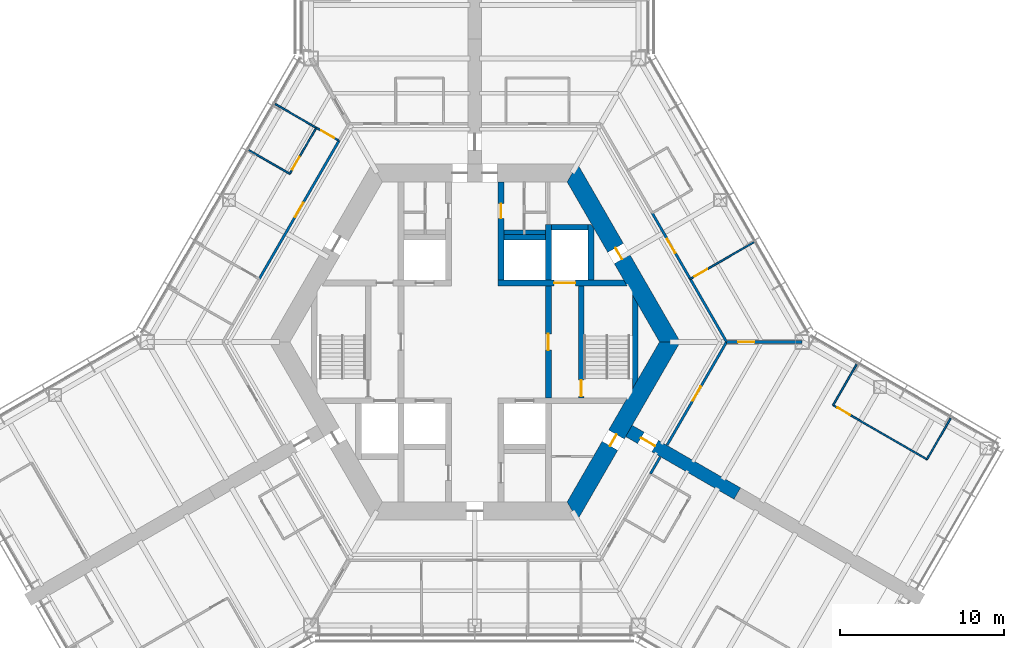
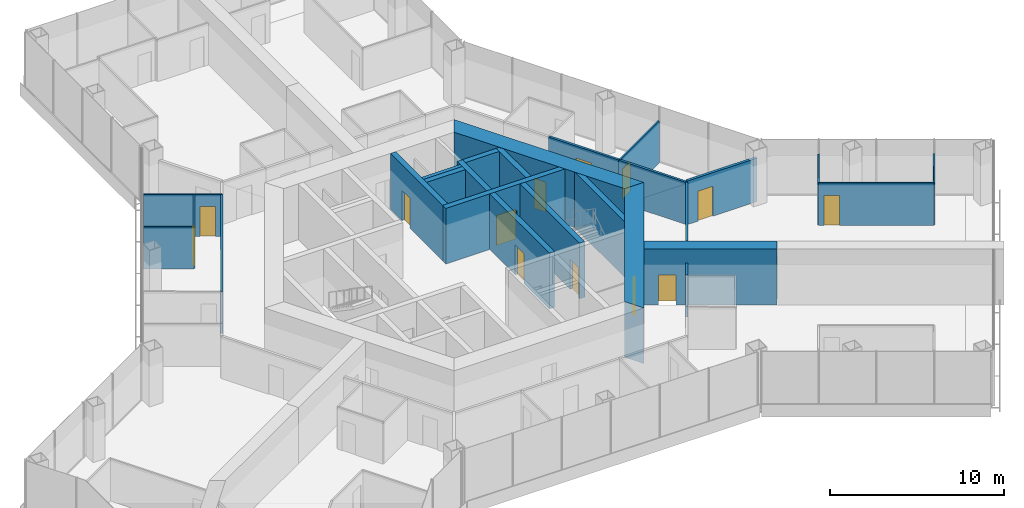
# One storey, part 14 of 19: 27 walls, 15 doors, 15 openings.
"""IFC4 building model written with IfcOpenShell, lengths in metres."""

from ifc_helpers import new_model, si_unit, direction, frame, frame_2d, origin, place, context, subcontext, project, spatial, polyline, rectangle, outline, extrude, material, layer, layer_set, type_object, element, fill, save


model = new_model("IFC4")

# Units and contexts
model_context = context("Model", 3, precision=1e-05, world=origin(), true_north=direction((0.0, 1.0)))
body_context = subcontext(model_context, "Body", "Model", "MODEL_VIEW")
ifc_project = project(units=[si_unit("LENGTHUNIT", "METRE"), si_unit("AREAUNIT", "SQUARE_METRE"), si_unit("VOLUMEUNIT", "CUBIC_METRE"), si_unit("PLANEANGLEUNIT", "RADIAN"), si_unit("MASSUNIT", "GRAM", prefix="KILO")], contexts=[model_context])

# Site, building, storey
site_placement = place(None, origin())
site = spatial("IfcSite", under=ifc_project, at=site_placement, CompositionType="ELEMENT")
building_placement = place(site_placement, origin())
building = spatial("IfcBuilding", under=site, at=building_placement, Name="Kasaneha Research Tower", CompositionType="ELEMENT")
storey_placement = place(building_placement, frame((0.0, 0.0, 84.60009765625)))
storey = spatial("IfcBuildingStorey", under=building, at=storey_placement, Name="L21", CompositionType="ELEMENT", Elevation=84.60009765625)

# Wall, opening, door
ifc_material_1 = material(Name="Concrete Fc80", Category="concrete")
ifc_layer_1 = layer(ifc_material_1, 0.35009765625)
ifc_layer_set_1 = layer_set([ifc_layer_1], Name="Core internal wall 350 Fc80")
wall_type_1 = type_object("IfcWallType", Name="Core internal wall 350 Fc80", PredefinedType="SHEAR", material=ifc_layer_set_1)
wall_1_placement = place(storey_placement, frame((1.425048828125, 3.60009765625, 0.0), z_axis=(0.0, 0.0, 1.0), x_axis=(1.0, 0.0, 0.0)))
wall_1 = element("IfcWall", 1, at=wall_1_placement, inside=storey, type_object=wall_type_1, Name="Core wall W1E L21", PredefinedType="SHEAR", context=body_context, shape_type="SweptSolid", body=[
    extrude(outline(polyline([(0.0, -0.175048828125), (3.425048828125, -0.175048828125), (4.72509765625, -0.175048828125), (7.884765625, -0.175048828125), (7.6826171875, 0.175048828125), (4.72509765625, 0.175048828125), (3.425048828125, 0.175048828125), (0.0, 0.175048828125), (0.0, -0.175048828125)])), origin(), (0.0, 0.0, 1.0), 3.89990234375),
])
opening_1_placement = place(wall_1_placement, frame((3.425048828125, 0.0, 0.0)))
opening_1 = element("IfcOpeningElement", 2, at=opening_1_placement, cuts=wall_1, Name="Opening LD-FL1-L21", PredefinedType="OPENING", context=body_context, shape_type="SweptSolid", body=[
    extrude(rectangle(XDim=1.300048828125, YDim=2.10009765625, at=frame_2d((0.64990234375, 1.050048828125))), frame((0.0, 0.18505859375, 0.0), z_axis=(0.0, -1.0, 0.0), x_axis=(1.0, 0.0, 0.0)), (0.0, 0.0, 1.0), 0.3701171875),
])
ifc_material_2 = material(Name="Steel", Category="steel")
door_type_1 = type_object("IfcDoorType", Name="Lift landing door 1300x2100", OperationType="DOUBLE_DOOR_SLIDING", PredefinedType="DOOR", material=ifc_material_2)
door_1_placement = place(opening_1_placement, origin())
door_1 = element("IfcDoor", 3, at=door_1_placement, inside=storey, type_object=door_type_1, Name="Landing door FL1 LD-FL1-L21", OperationType="DOUBLE_DOOR_SLIDING", OverallHeight=2.10009765625, OverallWidth=1.300048828125, PredefinedType="DOOR", context=body_context, shape_type="SweptSolid", body=[
    extrude(rectangle(XDim=1.300048828125, YDim=2.10009765625, at=frame_2d((0.64990234375, 1.050048828125))), frame((0.0, 0.02490234375, 0.0), z_axis=(0.0, -1.0, 0.0), x_axis=(1.0, 0.0, 0.0)), (0.0, 0.0, 1.0), 0.050048828125),
])
fill(opening_1, door_1)

wall_2_placement = place(storey_placement, frame((1.60009765625, 3.77490234375, 0.0), z_axis=(0.0, 0.0, 1.0), x_axis=(0.0, 1.0, 0.0)))
wall_2 = element("IfcWall", 4, at=wall_2_placement, inside=storey, type_object=wall_type_1, Name="Core wall CNE L21", PredefinedType="SHEAR", context=body_context, shape_type="SweptSolid", body=[
    extrude(rectangle(XDim=6.0, YDim=0.35009765625, at=frame_2d((3.0, 0.0))), origin(), (0.0, 0.0, 1.0), 3.89990234375),
])
opening_2_placement = place(wall_2_placement, frame((3.77490234375, 0.0, 0.0)))
opening_2 = element("IfcOpeningElement", 5, at=opening_2_placement, cuts=wall_2, Name="Opening L21-D14", PredefinedType="OPENING", context=body_context, shape_type="SweptSolid", body=[
    extrude(rectangle(XDim=0.89990234375, YDim=2.10009765625, at=frame_2d((0.449951171875, 1.050048828125))), frame((0.0, 0.18505859375, 0.0), z_axis=(0.0, -1.0, 0.0), x_axis=(1.0, 0.0, 0.0)), (0.0, 0.0, 1.0), 0.3701171875),
])
ifc_material_3 = material(Name="Steel", Category="steel")
door_type_2 = type_object("IfcDoorType", Name="Toilet door FD20 900x2100", OperationType="NOTDEFINED", PredefinedType="DOOR", material=ifc_material_3)
door_2_placement = place(opening_2_placement, origin())
door_2 = element("IfcDoor", 6, at=door_2_placement, inside=storey, type_object=door_type_2, Name="Women's WC door L21-D14", OperationType="SINGLE_SWING_LEFT", OverallHeight=2.10009765625, OverallWidth=0.89990234375, PredefinedType="DOOR", context=body_context, shape_type="SweptSolid", body=[
    extrude(rectangle(XDim=0.89990234375, YDim=2.10009765625, at=frame_2d((0.449951171875, 1.050048828125))), frame((0.0, 0.02490234375, 0.0), z_axis=(0.0, -1.0, 0.0), x_axis=(1.0, 0.0, 0.0)), (0.0, 0.0, 1.0), 0.050048828125),
])
fill(opening_2, door_2)

wall_3_placement = place(storey_placement, frame((4.5, -3.425048828125, 0.0), z_axis=(0.0, 0.0, 1.0), x_axis=(0.0, 1.0, 0.0)))
wall_3 = element("IfcWall", 7, at=wall_3_placement, inside=storey, type_object=wall_type_1, Name="Core wall LBE L21", PredefinedType="SHEAR", context=body_context, shape_type="SweptSolid", body=[
    extrude(rectangle(XDim=6.85009765625, YDim=0.35009765625, at=frame_2d((3.425048828125, 0.0))), origin(), (0.0, 0.0, 1.0), 3.89990234375),
])
opening_3_placement = place(wall_3_placement, frame((2.925048828125, 0.0, 0.0)))
opening_3 = element("IfcOpeningElement", 8, at=opening_3_placement, cuts=wall_3, Name="Opening L21-D08", PredefinedType="OPENING", context=body_context, shape_type="SweptSolid", body=[
    extrude(rectangle(XDim=1.0, YDim=2.10009765625, at=frame_2d((0.5, 1.050048828125))), frame((0.0, 0.18505859375, 0.0), z_axis=(0.0, -1.0, 0.0), x_axis=(1.0, 0.0, 0.0)), (0.0, 0.0, 1.0), 0.3701171875),
])
ifc_material_4 = material(Name="Steel", Category="steel")
door_type_3 = type_object("IfcDoorType", Name="Specified fire door FD60 1000x2100", OperationType="NOTDEFINED", PredefinedType="DOOR", material=ifc_material_4)
door_3_placement = place(opening_3_placement, origin())
door_3 = element("IfcDoor", 9, at=door_3_placement, inside=storey, type_object=door_type_3, Name="Lift lobby door east L21-D08", OperationType="SINGLE_SWING_LEFT", OverallHeight=2.10009765625, OverallWidth=1.0, PredefinedType="DOOR", context=body_context, shape_type="SweptSolid", body=[
    extrude(rectangle(XDim=1.0, YDim=2.10009765625, at=frame_2d((0.5, 1.050048828125))), frame((0.0, 0.02490234375, 0.0), z_axis=(0.0, -1.0, 0.0), x_axis=(1.0, 0.0, 0.0)), (0.0, 0.0, 1.0), 0.050048828125),
])
fill(opening_3, door_3)

wall_4_placement = place(storey_placement, frame((6.5, -3.425048828125, 0.0), z_axis=(0.0, 0.0, 1.0), x_axis=(0.0, 1.0, 0.0)))
wall_4 = element("IfcWall", 10, at=wall_4_placement, inside=storey, type_object=wall_type_1, Name="Core wall ANE L21", PredefinedType="SHEAR", context=body_context, shape_type="SweptSolid", body=[
    extrude(rectangle(XDim=6.85009765625, YDim=0.35009765625, at=frame_2d((3.425048828125, 0.0))), origin(), (0.0, 0.0, 1.0), 3.89990234375),
])
opening_4_placement = place(wall_4_placement, frame((0.10009765625, 0.0, 0.0)))
opening_4 = element("IfcOpeningElement", 11, at=opening_4_placement, cuts=wall_4, Name="Opening L21-D10", PredefinedType="OPENING", context=body_context, shape_type="SweptSolid", body=[
    extrude(rectangle(XDim=1.0, YDim=2.10009765625, at=frame_2d((0.5, 1.050048828125))), frame((0.0, 0.18505859375, 0.0), z_axis=(0.0, -1.0, 0.0), x_axis=(1.0, 0.0, 0.0)), (0.0, 0.0, 1.0), 0.3701171875),
])
door_4_placement = place(opening_4_placement, origin())
door_4 = element("IfcDoor", 12, at=door_4_placement, inside=storey, type_object=door_type_3, Name="Stair 1 door L21-D10", OperationType="SINGLE_SWING_LEFT", OverallHeight=2.10009765625, OverallWidth=1.0, PredefinedType="DOOR", context=body_context, shape_type="SweptSolid", body=[
    extrude(rectangle(XDim=1.0, YDim=2.10009765625, at=frame_2d((0.5, 1.050048828125))), frame((0.0, 0.02490234375, 0.0), z_axis=(0.0, -1.0, 0.0), x_axis=(1.0, 0.0, 0.0)), (0.0, 0.0, 1.0), 0.050048828125),
])
fill(opening_4, door_4)

# Walls
wall_5_placement = place(storey_placement, frame((4.5, 3.77490234375, 0.0), z_axis=(0.0, 0.0, 1.0), x_axis=(0.0, 1.0, 0.0)))
element("IfcWall", 13, at=wall_5_placement, inside=storey, type_object=wall_type_1, Name="Core wall FNE L21", PredefinedType="SHEAR", context=body_context, shape_type="SweptSolid", body=[
    extrude(rectangle(XDim=3.400146484375, YDim=0.35009765625, at=frame_2d((1.7001953125, 0.0))), origin(), (0.0, 0.0, 1.0), 3.89990234375),
])
wall_6_placement = place(storey_placement, frame((1.77490234375, 6.39990234375, 0.0), z_axis=(0.0, 0.0, 1.0), x_axis=(1.0, 0.0, 0.0)))
element("IfcWall", 14, at=wall_6_placement, inside=storey, type_object=wall_type_1, Name="Core wall N3N L21", PredefinedType="SHEAR", context=body_context, shape_type="SweptSolid", body=[
    extrude(rectangle(XDim=2.550048828125, YDim=0.35009765625, at=frame_2d((1.27490234375, 0.0))), origin(), (0.0, 0.0, 1.0), 3.89990234375),
])
wall_7_placement = place(storey_placement, frame((4.675048828125, 7.0, 0.0), z_axis=(0.0, 0.0, 1.0), x_axis=(1.0, 0.0, 0.0)))
element("IfcWall", 15, at=wall_7_placement, inside=storey, type_object=wall_type_1, Name="Core wall F1N L21", PredefinedType="SHEAR", context=body_context, shape_type="SweptSolid", body=[
    extrude(rectangle(XDim=2.25, YDim=0.35009765625, at=frame_2d((1.125, 0.0))), origin(), (0.0, 0.0, 1.0), 3.89990234375),
])
wall_8_placement = place(storey_placement, frame((7.10009765625, 3.77490234375, 0.0), z_axis=(0.0, 0.0, 1.0), x_axis=(0.0, 1.0, 0.0)))
element("IfcWall", 16, at=wall_8_placement, inside=storey, type_object=wall_type_1, Name="Core wall F1E L21", PredefinedType="SHEAR", context=body_context, shape_type="SweptSolid", body=[
    extrude(outline(polyline([(0.0, -0.175048828125), (3.174560546875, -0.175048828125), (3.400146484375, 0.0), (3.400146484375, 0.175048828125), (0.0, 0.175048828125), (0.0, -0.175048828125)])), origin(), (0.0, 0.0, 1.0), 3.89990234375),
])
wall_9_placement = place(storey_placement, frame((9.807861328125, -2.562255859375, 0.0), z_axis=(0.0, 0.0, 1.0), x_axis=(0.0, 1.0, 0.0)))
element("IfcWall", 17, at=wall_9_placement, inside=storey, type_object=wall_type_1, Name="Core wall STE L21", PredefinedType="SHEAR", context=body_context, shape_type="SweptSolid", body=[
    extrude(outline(polyline([(0.30322265625, -0.175048828125), (4.8212890625, -0.175048828125), (5.427734375, 0.175048828125), (-0.30322265625, 0.175048828125), (0.30322265625, -0.175048828125)])), origin(), (0.0, 0.0, 1.0), 3.89990234375),
])

# Wall, opening, door
ifc_material_5 = material(Name="Concrete Fc80", Category="concrete")
ifc_layer_2 = layer(ifc_material_5, 1.10009765625)
ifc_layer_set_2 = layer_set([ifc_layer_2], Name="Core wall 1100 Fc80")
wall_type_2 = type_object("IfcWallType", Name="Core wall 1100 Fc80", PredefinedType="SHEAR", material=ifc_layer_set_2)
wall_10_placement = place(storey_placement, frame((11.92236328125, 0.0, 0.0), z_axis=(0.0, 0.0, 1.0), x_axis=(-0.500004296715, 0.866022923061, 0.0)))
wall_10 = element("IfcWall", 18, at=wall_10_placement, inside=storey, type_object=wall_type_2, Name="Core wall 030 L21", PredefinedType="SHEAR", context=body_context, shape_type="SweptSolid", body=[
    extrude(outline(polyline([(-0.317626953125, -0.550048828125), (5.83544921875, -0.550048828125), (6.635498046875, -0.550048828125), (12.239990234375, -0.550048828125), (11.604736328125, 0.550048828125), (6.635498046875, 0.550048828125), (5.83544921875, 0.550048828125), (0.317626953125, 0.550048828125), (-0.317626953125, -0.550048828125)])), origin(), (0.0, 0.0, 1.0), 3.89990234375),
])
opening_5_placement = place(wall_10_placement, frame((5.83544921875, 0.0, 0.0)))
opening_5 = element("IfcOpeningElement", 19, at=opening_5_placement, cuts=wall_10, Name="Opening L21-D04", PredefinedType="OPENING", context=body_context, shape_type="SweptSolid", body=[
    extrude(rectangle(XDim=0.800048828125, YDim=2.10009765625, at=frame_2d((0.39990234375, 1.050048828125))), frame((0.0, 0.56005859375, 0.0), z_axis=(0.0, -1.0, 0.0), x_axis=(1.0, 0.0, 0.0)), (0.0, 0.0, 1.0), 1.1201171875),
])
ifc_material_6 = material(Name="Steel", Category="steel")
door_type_4 = type_object("IfcDoorType", Name="Riser access door FD60 800x2100", OperationType="NOTDEFINED", PredefinedType="DOOR", material=ifc_material_6)
door_5_placement = place(opening_5_placement, origin())
door_5 = element("IfcDoor", 20, at=door_5_placement, inside=storey, type_object=door_type_4, Name="Pipe riser door L21-D04", OperationType="SINGLE_SWING_RIGHT", OverallHeight=2.10009765625, OverallWidth=0.800048828125, PredefinedType="DOOR", context=body_context, shape_type="SweptSolid", body=[
    extrude(rectangle(XDim=0.800048828125, YDim=2.10009765625, at=frame_2d((0.39990234375, 1.050048828125))), frame((0.0, 0.02490234375, 0.0), z_axis=(0.0, -1.0, 0.0), x_axis=(1.0, 0.0, 0.0)), (0.0, 0.0, 1.0), 0.050048828125),
])
fill(opening_5, door_5)

wall_11_placement = place(storey_placement, frame((5.961181640625, -10.324951171875, 0.0), z_axis=(0.0, 0.0, 1.0), x_axis=(0.500004296715, 0.866022923061, 0.0)))
wall_11 = element("IfcWall", 21, at=wall_11_placement, inside=storey, type_object=wall_type_2, Name="Core wall 330 L21", PredefinedType="SHEAR", context=body_context, shape_type="SweptSolid", body=[
    extrude(outline(polyline([(-0.317626953125, -0.550048828125), (4.593994140625, -0.550048828125), (5.39404296875, -0.550048828125), (12.239990234375, -0.550048828125), (11.604736328125, 0.550048828125), (5.39404296875, 0.550048828125), (4.593994140625, 0.550048828125), (0.317626953125, 0.550048828125), (-0.317626953125, -0.550048828125)])), origin(), (0.0, 0.0, 1.0), 3.89990234375),
])
opening_6_placement = place(wall_11_placement, frame((4.593994140625, 0.0, 0.0)))
opening_6 = element("IfcOpeningElement", 22, at=opening_6_placement, cuts=wall_11, Name="Opening L21-D05", PredefinedType="OPENING", context=body_context, shape_type="SweptSolid", body=[
    extrude(rectangle(XDim=0.800048828125, YDim=2.10009765625, at=frame_2d((0.39990234375, 1.050048828125))), frame((0.0, 0.56005859375, 0.0), z_axis=(0.0, -1.0, 0.0), x_axis=(1.0, 0.0, 0.0)), (0.0, 0.0, 1.0), 1.1201171875),
])
door_6_placement = place(opening_6_placement, origin())
door_6 = element("IfcDoor", 23, at=door_6_placement, inside=storey, type_object=door_type_4, Name="Pipe riser door L21-D05", OperationType="SINGLE_SWING_LEFT", OverallHeight=2.10009765625, OverallWidth=0.800048828125, PredefinedType="DOOR", context=body_context, shape_type="SweptSolid", body=[
    extrude(rectangle(XDim=0.800048828125, YDim=2.10009765625, at=frame_2d((0.39990234375, 1.050048828125))), frame((0.0, 0.02490234375, 0.0), z_axis=(0.0, -1.0, 0.0), x_axis=(1.0, 0.0, 0.0)), (0.0, 0.0, 1.0), 0.050048828125),
])
fill(opening_6, door_6)

ifc_material_7 = material(Name="Gypsum board on steel studs, one layer each side", Category="steel")
ifc_layer_3 = layer(ifc_material_7, 0.10009765625)
ifc_layer_set_3 = layer_set([ifc_layer_3], Name="Office partition 100")
wall_type_3 = type_object("IfcWallType", Name="Office partition 100", PredefinedType="PARTITIONING", material=ifc_layer_set_3)
wall_12_placement = place(storey_placement, frame((13.165283203125, 3.84716796875, 0.0), z_axis=(0.0, 0.0, 1.0), x_axis=(0.865513030745, 0.500886407891, 0.0)))
wall_12 = element("IfcWall", 24, at=wall_12_placement, inside=storey, type_object=wall_type_3, Name="Office partition FAE14 L21", PredefinedType="PARTITIONING", context=body_context, shape_type="SweptSolid", body=[
    extrude(rectangle(XDim=4.495361328125, YDim=0.10009765625, at=frame_2d((2.24755859375, 0.0))), origin(), (0.0, 0.0, 1.0), 2.949951171875),
])
opening_7_placement = place(wall_12_placement, frame((0.300048828125, 0.0, 0.0)))
opening_7 = element("IfcOpeningElement", 25, at=opening_7_placement, cuts=wall_12, Name="Opening L21-D31", PredefinedType="OPENING", context=body_context, shape_type="SweptSolid", body=[
    extrude(rectangle(XDim=0.89990234375, YDim=2.10009765625, at=frame_2d((0.449951171875, 1.050048828125))), frame((0.0, 0.06005859375, 0.0), z_axis=(0.0, -1.0, 0.0), x_axis=(1.0, 0.0, 0.0)), (0.0, 0.0, 1.0), 0.1201171875),
])
ifc_material_8 = material(Name="Timber veneer", Category="wood")
door_type_5 = type_object("IfcDoorType", Name="Office door 900x2100", OperationType="SINGLE_SWING_LEFT", PredefinedType="DOOR", material=ifc_material_8)
door_7_placement = place(opening_7_placement, origin())
door_7 = element("IfcDoor", 26, at=door_7_placement, inside=storey, type_object=door_type_5, Name="Manager's office door L21-D31", OperationType="SINGLE_SWING_LEFT", OverallHeight=2.10009765625, OverallWidth=0.89990234375, PredefinedType="DOOR", context=body_context, shape_type="SweptSolid", body=[
    extrude(rectangle(XDim=0.89990234375, YDim=2.10009765625, at=frame_2d((0.449951171875, 1.050048828125))), frame((0.0, 0.02490234375, 0.0), z_axis=(0.0, -1.0, 0.0), x_axis=(1.0, 0.0, 0.0)), (0.0, 0.0, 1.0), 0.050048828125),
])
fill(opening_7, door_7)

# Walls
wall_13_placement = place(storey_placement, frame((-12.1865234375, 14.533203125, 0.0), z_axis=(0.0, 0.0, 1.0), x_axis=(0.865164881237, -0.501487515572, 0.0)))
element("IfcWall", 27, at=wall_13_placement, inside=storey, type_object=wall_type_3, Name="Office partition FBN06 L21", PredefinedType="PARTITIONING", context=body_context, shape_type="SweptSolid", body=[
    extrude(rectangle(XDim=2.900146484375, YDim=0.10009765625, at=frame_2d((1.4501953125, 0.0))), origin(), (0.0, 0.0, 1.0), 2.949951171875),
])
wall_14_placement = place(storey_placement, frame((-11.29833984375, 10.271728515625, 0.0), z_axis=(0.0, 0.0, 1.0), x_axis=(-0.866033125095, 0.499986626058, 0.0)))
element("IfcWall", 28, at=wall_14_placement, inside=storey, type_object=wall_type_3, Name="Office partition FBN07 L21", PredefinedType="PARTITIONING", context=body_context, shape_type="SweptSolid", body=[
    extrude(rectangle(XDim=2.8798828125, YDim=0.10009765625, at=frame_2d((1.43994140625, 0.0))), origin(), (0.0, 0.0, 1.0), 2.949951171875),
])

# Wall, opening, door
wall_15_placement = place(storey_placement, frame((-9.678955078125, 13.08544921875, 0.0), z_axis=(0.0, 0.0, 1.0), x_axis=(-0.498817248501, -0.866707189654, 0.0)))
wall_15 = element("IfcWall", 29, at=wall_15_placement, inside=storey, type_object=wall_type_3, Name="Office partition FBN08 L21", PredefinedType="PARTITIONING", context=body_context, shape_type="SweptSolid", body=[
    extrude(rectangle(XDim=3.246337890625, YDim=0.10009765625, at=frame_2d((1.623046875, 0.0))), origin(), (0.0, 0.0, 1.0), 2.949951171875),
])
opening_8_placement = place(wall_15_placement, frame((2.04638671875, 0.0, 0.0)))
opening_8 = element("IfcOpeningElement", 30, at=opening_8_placement, cuts=wall_15, Name="Opening L21-D41", PredefinedType="OPENING", context=body_context, shape_type="SweptSolid", body=[
    extrude(rectangle(XDim=0.89990234375, YDim=2.10009765625, at=frame_2d((0.449951171875, 1.050048828125))), frame((0.0, 0.06005859375, 0.0), z_axis=(0.0, -1.0, 0.0), x_axis=(1.0, 0.0, 0.0)), (0.0, 0.0, 1.0), 0.1201171875),
])
door_8_placement = place(opening_8_placement, origin())
door_8 = element("IfcDoor", 31, at=door_8_placement, inside=storey, type_object=door_type_5, Name="Interview room door L21-D41", OperationType="SINGLE_SWING_RIGHT", OverallHeight=2.10009765625, OverallWidth=0.89990234375, PredefinedType="DOOR", context=body_context, shape_type="SweptSolid", body=[
    extrude(rectangle(XDim=0.89990234375, YDim=2.10009765625, at=frame_2d((0.449951171875, 1.050048828125))), frame((0.0, 0.02490234375, 0.0), z_axis=(0.0, -1.0, 0.0), x_axis=(1.0, 0.0, 0.0)), (0.0, 0.0, 1.0), 0.050048828125),
])
fill(opening_8, door_8)

wall_16_placement = place(storey_placement, frame((-8.291015625, 12.289306640625, 0.0), z_axis=(0.0, 0.0, 1.0), x_axis=(-0.867425068062, 0.497567835875, 0.0)))
wall_16 = element("IfcWall", 32, at=wall_16_placement, inside=storey, type_object=wall_type_3, Name="Office partition FBN13 L21", PredefinedType="PARTITIONING", context=body_context, shape_type="SweptSolid", body=[
    extrude(rectangle(XDim=1.60009765625, YDim=0.10009765625, at=frame_2d((0.800048828125, 0.0))), origin(), (0.0, 0.0, 1.0), 2.949951171875),
])
opening_9_placement = place(wall_16_placement, frame((0.35009765625, 0.0, 0.0)))
opening_9 = element("IfcOpeningElement", 33, at=opening_9_placement, cuts=wall_16, Name="Opening L21-D44", PredefinedType="OPENING", context=body_context, shape_type="SweptSolid", body=[
    extrude(rectangle(XDim=0.89990234375, YDim=2.10009765625, at=frame_2d((0.449951171875, 1.050048828125))), frame((0.0, 0.06005859375, 0.0), z_axis=(0.0, -1.0, 0.0), x_axis=(1.0, 0.0, 0.0)), (0.0, 0.0, 1.0), 0.1201171875),
])
door_9_placement = place(opening_9_placement, origin())
door_9 = element("IfcDoor", 34, at=door_9_placement, inside=storey, type_object=door_type_5, Name="Workroom door L21-D44", OperationType="SINGLE_SWING_RIGHT", OverallHeight=2.10009765625, OverallWidth=0.89990234375, PredefinedType="DOOR", context=body_context, shape_type="SweptSolid", body=[
    extrude(rectangle(XDim=0.89990234375, YDim=2.10009765625, at=frame_2d((0.449951171875, 1.050048828125))), frame((0.0, 0.02490234375, 0.0), z_axis=(0.0, -1.0, 0.0), x_axis=(1.0, 0.0, 0.0)), (0.0, 0.0, 1.0), 0.050048828125),
])
fill(opening_9, door_9)

# Wall
wall_17_placement = place(storey_placement, frame((21.89208984375, -3.86376953125, 0.0), z_axis=(0.0, 0.0, 1.0), x_axis=(0.500050202324, 0.865996417519, 0.0)))
element("IfcWall", 35, at=wall_17_placement, inside=storey, type_object=wall_type_3, Name="Office partition FCE02 L21", PredefinedType="PARTITIONING", context=body_context, shape_type="SweptSolid", body=[
    extrude(rectangle(XDim=2.880126953125, YDim=0.10009765625, at=frame_2d((1.43994140625, 0.0))), origin(), (0.0, 0.0, 1.0), 2.949951171875),
])

# Wall, opening, door
wall_18_placement = place(storey_placement, frame((27.625, -7.173583984375, 0.0), z_axis=(0.0, 0.0, 1.0), x_axis=(-0.866030817826, 0.499990622488, 0.0)))
wall_18 = element("IfcWall", 36, at=wall_18_placement, inside=storey, type_object=wall_type_3, Name="Office partition FCE03 L21", PredefinedType="PARTITIONING", context=body_context, shape_type="SweptSolid", body=[
    extrude(rectangle(XDim=6.619873046875, YDim=0.10009765625, at=frame_2d((3.31005859375, 0.0))), origin(), (0.0, 0.0, 1.0), 2.949951171875),
])
opening_10_placement = place(wall_18_placement, frame((5.419677734375, 0.0, 0.0)))
opening_10 = element("IfcOpeningElement", 37, at=opening_10_placement, cuts=wall_18, Name="Opening L21-D50", PredefinedType="OPENING", context=body_context, shape_type="SweptSolid", body=[
    extrude(rectangle(XDim=0.89990234375, YDim=2.10009765625, at=frame_2d((0.449951171875, 1.050048828125))), frame((0.0, 0.06005859375, 0.0), z_axis=(0.0, -1.0, 0.0), x_axis=(1.0, 0.0, 0.0)), (0.0, 0.0, 1.0), 0.1201171875),
])
door_10_placement = place(opening_10_placement, origin())
door_10 = element("IfcDoor", 38, at=door_10_placement, inside=storey, type_object=door_type_5, Name="Reception room door L21-D50", OperationType="SINGLE_SWING_RIGHT", OverallHeight=2.10009765625, OverallWidth=0.89990234375, PredefinedType="DOOR", context=body_context, shape_type="SweptSolid", body=[
    extrude(rectangle(XDim=0.89990234375, YDim=2.10009765625, at=frame_2d((0.449951171875, 1.050048828125))), frame((0.0, 0.02490234375, 0.0), z_axis=(0.0, -1.0, 0.0), x_axis=(1.0, 0.0, 0.0)), (0.0, 0.0, 1.0), 0.050048828125),
])
fill(opening_10, door_10)

# Wall
wall_19_placement = place(storey_placement, frame((29.074951171875, -4.662109375, 0.0), z_axis=(0.0, 0.0, 1.0), x_axis=(-0.499987231761, -0.866032775405, 0.0)))
element("IfcWall", 39, at=wall_19_placement, inside=storey, type_object=wall_type_3, Name="Office partition FCE04 L21", PredefinedType="PARTITIONING", context=body_context, shape_type="SweptSolid", body=[
    extrude(rectangle(XDim=2.89990234375, YDim=0.10009765625, at=frame_2d((1.449951171875, 0.0))), origin(), (0.0, 0.0, 1.0), 2.949951171875),
])

# Wall, opening, door
ifc_material_9 = material(Name="Concrete Fc80", Category="concrete")
ifc_layer_4 = layer(ifc_material_9, 0.800048828125)
ifc_layer_set_4 = layer_set([ifc_layer_4], Name="Spine wall 800 Fc80")
wall_type_4 = type_object("IfcWallType", Name="Spine wall 800 Fc80", PredefinedType="SHEAR", material=ifc_layer_set_4)
wall_20_placement = place(storey_placement, frame((9.41796875, -5.4375, 0.0), z_axis=(0.0, 0.0, 1.0), x_axis=(0.866029782078, -0.499992416496, 0.0)))
wall_20 = element("IfcWall", 40, at=wall_20_placement, inside=storey, type_object=wall_type_4, Name="Spine wall C L21", PredefinedType="SHEAR", context=body_context, shape_type="SweptSolid", body=[
    extrude(rectangle(XDim=7.6455078125, YDim=0.800048828125, at=frame_2d((3.82275390625, 0.0))), origin(), (0.0, 0.0, 1.0), 3.89990234375),
])
opening_11_placement = place(wall_20_placement, frame((0.85009765625, 0.0, 0.0)))
opening_11 = element("IfcOpeningElement", 41, at=opening_11_placement, cuts=wall_20, Name="Opening L21-D19", PredefinedType="OPENING", context=body_context, shape_type="SweptSolid", body=[
    extrude(rectangle(XDim=1.0, YDim=2.10009765625, at=frame_2d((0.5, 1.050048828125))), frame((0.0, 0.41015625, 0.0), z_axis=(0.0, -1.0, 0.0), x_axis=(1.0, 0.0, 0.0)), (0.0, 0.0, 1.0), 0.820068359375),
])
door_11_placement = place(opening_11_placement, origin())
door_11 = element("IfcDoor", 42, at=door_11_placement, inside=storey, type_object=door_type_3, Name="Spine doorway C L21-D19", OperationType="SINGLE_SWING_LEFT", OverallHeight=2.10009765625, OverallWidth=1.0, PredefinedType="DOOR", context=body_context, shape_type="SweptSolid", body=[
    extrude(rectangle(XDim=1.0, YDim=2.10009765625, at=frame_2d((0.5, 1.050048828125))), frame((0.0, 0.02490234375, 0.0), z_axis=(0.0, -1.0, 0.0), x_axis=(1.0, 0.0, 0.0)), (0.0, 0.0, 1.0), 0.050048828125),
])
fill(opening_11, door_11)

# Wall
ifc_material_10 = material(Name="Gypsum board on steel studs, two layers each side", Category="steel")
ifc_layer_5 = layer(ifc_material_10, 0.14990234375)
ifc_layer_set_5 = layer_set([ifc_layer_5], Name="Suite partition 150")
wall_type_5 = type_object("IfcWallType", Name="Suite partition 150", PredefinedType="PARTITIONING", material=ifc_layer_set_5)
wall_21_placement = place(storey_placement, frame((13.160400390625, 3.85546875, 0.0), z_axis=(0.0, 0.0, 1.0), x_axis=(0.49999285859, -0.86602952684, 0.0)))
element("IfcWall", 43, at=wall_21_placement, inside=storey, type_object=wall_type_5, Name="Suite partition FAE03 L21", PredefinedType="PARTITIONING", context=body_context, shape_type="SweptSolid", body=[
    extrude(rectangle(XDim=4.4287109375, YDim=0.14990234375, at=frame_2d((2.21435546875, 0.0))), origin(), (0.0, 0.0, 1.0), 2.949951171875),
])

# Wall, opening, door
wall_22_placement = place(storey_placement, frame((10.837646484375, 7.87890625, 0.0), z_axis=(0.0, 0.0, 1.0), x_axis=(0.499985748238, -0.866033631887, 0.0)))
wall_22 = element("IfcWall", 44, at=wall_22_placement, inside=storey, type_object=wall_type_5, Name="Suite partition FAE07 L21", PredefinedType="PARTITIONING", context=body_context, shape_type="SweptSolid", body=[
    extrude(rectangle(XDim=4.655517578125, YDim=0.14990234375, at=frame_2d((2.32763671875, 0.0))), origin(), (0.0, 0.0, 1.0), 2.949951171875),
])
opening_12_placement = place(wall_22_placement, frame((1.82763671875, 0.0, 0.0)))
opening_12 = element("IfcOpeningElement", 45, at=opening_12_placement, cuts=wall_22, Name="Opening L21-D29", PredefinedType="OPENING", context=body_context, shape_type="SweptSolid", body=[
    extrude(rectangle(XDim=1.0, YDim=2.10009765625, at=frame_2d((0.5, 1.050048828125))), frame((0.0, 0.0849609375, 0.0), z_axis=(0.0, -1.0, 0.0), x_axis=(1.0, 0.0, 0.0)), (0.0, 0.0, 1.0), 0.169921875),
])
ifc_material_11 = material(Name="Steel", Category="steel")
door_type_6 = type_object("IfcDoorType", Name="Suite entrance door FD60 1000x2100", OperationType="NOTDEFINED", PredefinedType="DOOR", material=ifc_material_11)
door_12_placement = place(opening_12_placement, origin())
door_12 = element("IfcDoor", 46, at=door_12_placement, inside=storey, type_object=door_type_6, Name="Suite entrance door L21-D29", OperationType="SINGLE_SWING_LEFT", OverallHeight=2.10009765625, OverallWidth=1.0, PredefinedType="DOOR", context=body_context, shape_type="SweptSolid", body=[
    extrude(rectangle(XDim=1.0, YDim=2.10009765625, at=frame_2d((0.5, 1.050048828125))), frame((0.0, 0.02490234375, 0.0), z_axis=(0.0, -1.0, 0.0), x_axis=(1.0, 0.0, 0.0)), (0.0, 0.0, 1.0), 0.050048828125),
])
fill(opening_12, door_12)

wall_23_placement = place(storey_placement, frame((-13.165283203125, 3.84716796875, 0.0), z_axis=(0.0, 0.0, 1.0), x_axis=(0.500015121375, 0.866016673279, 0.0)))
wall_23 = element("IfcWall", 47, at=wall_23_placement, inside=storey, type_object=wall_type_5, Name="Suite partition FBN05 L21", PredefinedType="PARTITIONING", context=body_context, shape_type="SweptSolid", body=[
    extrude(rectangle(XDim=9.748291015625, YDim=0.14990234375, at=frame_2d((4.8740234375, 0.0))), origin(), (0.0, 0.0, 1.0), 2.949951171875),
])
opening_13_placement = place(wall_23_placement, frame((4.3740234375, 0.0, 0.0)))
opening_13 = element("IfcOpeningElement", 48, at=opening_13_placement, cuts=wall_23, Name="Opening L21-D40", PredefinedType="OPENING", context=body_context, shape_type="SweptSolid", body=[
    extrude(rectangle(XDim=1.0, YDim=2.10009765625, at=frame_2d((0.5, 1.050048828125))), frame((0.0, 0.0849609375, 0.0), z_axis=(0.0, -1.0, 0.0), x_axis=(1.0, 0.0, 0.0)), (0.0, 0.0, 1.0), 0.169921875),
])
door_13_placement = place(opening_13_placement, origin())
door_13 = element("IfcDoor", 49, at=door_13_placement, inside=storey, type_object=door_type_6, Name="Suite entrance door L21-D40", OperationType="SINGLE_SWING_LEFT", OverallHeight=2.10009765625, OverallWidth=1.0, PredefinedType="DOOR", context=body_context, shape_type="SweptSolid", body=[
    extrude(rectangle(XDim=1.0, YDim=2.10009765625, at=frame_2d((0.5, 1.050048828125))), frame((0.0, 0.02490234375, 0.0), z_axis=(0.0, -1.0, 0.0), x_axis=(1.0, 0.0, 0.0)), (0.0, 0.0, 1.0), 0.050048828125),
])
fill(opening_13, door_13)

wall_24_placement = place(storey_placement, frame((15.374755859375, -0.02001953125, 0.0), z_axis=(0.0, 0.0, 1.0), x_axis=(-0.499992569217, -0.866029693906, 0.0)))
wall_24 = element("IfcWall", 50, at=wall_24_placement, inside=storey, type_object=wall_type_5, Name="Suite partition FCE01 L21", PredefinedType="PARTITIONING", context=body_context, shape_type="SweptSolid", body=[
    extrude(rectangle(XDim=7.25, YDim=0.14990234375, at=frame_2d((3.625, 0.0))), origin(), (0.0, 0.0, 1.0), 2.949951171875),
])
opening_14_placement = place(wall_24_placement, frame((3.125, 0.0, 0.0)))
opening_14 = element("IfcOpeningElement", 51, at=opening_14_placement, cuts=wall_24, Name="Opening L21-D49", PredefinedType="OPENING", context=body_context, shape_type="SweptSolid", body=[
    extrude(rectangle(XDim=1.0, YDim=2.10009765625, at=frame_2d((0.5, 1.050048828125))), frame((0.0, 0.0849609375, 0.0), z_axis=(0.0, -1.0, 0.0), x_axis=(1.0, 0.0, 0.0)), (0.0, 0.0, 1.0), 0.169921875),
])
door_14_placement = place(opening_14_placement, origin())
door_14 = element("IfcDoor", 52, at=door_14_placement, inside=storey, type_object=door_type_6, Name="Suite entrance door L21-D49", OperationType="SINGLE_SWING_RIGHT", OverallHeight=2.10009765625, OverallWidth=1.0, PredefinedType="DOOR", context=body_context, shape_type="SweptSolid", body=[
    extrude(rectangle(XDim=1.0, YDim=2.10009765625, at=frame_2d((0.5, 1.050048828125))), frame((0.0, 0.02490234375, 0.0), z_axis=(0.0, -1.0, 0.0), x_axis=(1.0, 0.0, 0.0)), (0.0, 0.0, 1.0), 0.050048828125),
])
fill(opening_14, door_14)

# Wall
wall_25_placement = place(storey_placement, frame((11.329833984375, -7.026123046875, 0.0), z_axis=(0.0, 0.0, 1.0), x_axis=(-0.499996007168, -0.866027709035, 0.0)))
element("IfcWall", 53, at=wall_25_placement, inside=storey, type_object=wall_type_5, Name="Suite partition FCS06 L21", PredefinedType="PARTITIONING", context=body_context, shape_type="SweptSolid", body=[
    extrude(rectangle(XDim=1.1845703125, YDim=0.14990234375, at=frame_2d((0.59228515625, 0.0))), origin(), (0.0, 0.0, 1.0), 2.949951171875),
])

# Wall, opening, door
ifc_material_12 = material(Name="Gypsum board on steel studs, two layers each side", Category="steel")
ifc_layer_6 = layer(ifc_material_12, 0.175048828125)
ifc_layer_set_6 = layer_set([ifc_layer_6], Name="Tenancy fire partition 175")
wall_type_6 = type_object("IfcWallType", Name="Tenancy fire partition 175", PredefinedType="PARTITIONING", material=ifc_layer_set_6)
wall_26_placement = place(storey_placement, frame((15.386474609375, 0.0, 0.0), z_axis=(0.0, 0.0, 1.0), x_axis=(1.0, 0.0, 0.0)))
wall_26 = element("IfcWall", 54, at=wall_26_placement, inside=storey, type_object=wall_type_6, Name="Tenancy fire partition T000 L21", PredefinedType="PARTITIONING", context=body_context, shape_type="SweptSolid", body=[
    extrude(rectangle(XDim=4.613525390625, YDim=0.175048828125, at=frame_2d((2.306640625, 0.0))), origin(), (0.0, 0.0, 1.0), 3.0498046875),
])
opening_15_placement = place(wall_26_placement, frame((0.699951171875, 0.0, 0.0)))
opening_15 = element("IfcOpeningElement", 55, at=opening_15_placement, cuts=wall_26, Name="Opening L21-D25", PredefinedType="OPENING", context=body_context, shape_type="SweptSolid", body=[
    extrude(rectangle(XDim=1.0, YDim=2.10009765625, at=frame_2d((0.5, 1.050048828125))), frame((0.0, 0.09765625, 0.0), z_axis=(0.0, -1.0, 0.0), x_axis=(1.0, 0.0, 0.0)), (0.0, 0.0, 1.0), 0.195068359375),
])
door_15_placement = place(opening_15_placement, origin())
door_15 = element("IfcDoor", 56, at=door_15_placement, inside=storey, type_object=door_type_6, Name="Connecting door L21-D25", OperationType="SINGLE_SWING_LEFT", OverallHeight=2.10009765625, OverallWidth=1.0, PredefinedType="DOOR", context=body_context, shape_type="SweptSolid", body=[
    extrude(rectangle(XDim=1.0, YDim=2.10009765625, at=frame_2d((0.5, 1.050048828125))), frame((0.0, 0.02490234375, 0.0), z_axis=(0.0, -1.0, 0.0), x_axis=(1.0, 0.0, 0.0)), (0.0, 0.0, 1.0), 0.050048828125),
])
fill(opening_15, door_15)

# Wall
ifc_material_13 = material(Name="Concrete block lining", Category="concrete")
ifc_layer_7 = layer(ifc_material_13, 0.25)
ifc_layer_set_7 = layer_set([ifc_layer_7], Name="WC plumbing wall 250")
wall_type_7 = type_object("IfcWallType", Name="WC plumbing wall 250", PredefinedType="PLUMBINGWALL", material=ifc_layer_set_7)
wall_27_placement = place(storey_placement, frame((1.77490234375, 6.699951171875, 0.0), z_axis=(0.0, 0.0, 1.0), x_axis=(1.0, 0.0, 0.0)))
element("IfcWall", 57, at=wall_27_placement, inside=storey, type_object=wall_type_7, Name="WC plumbing wall F L21", PredefinedType="PLUMBINGWALL", context=body_context, shape_type="SweptSolid", body=[
    extrude(rectangle(XDim=2.550048828125, YDim=0.25, at=frame_2d((1.27490234375, 0.0))), origin(), (0.0, 0.0, 1.0), 3.89990234375),
])

save(model, "model.ifc")
